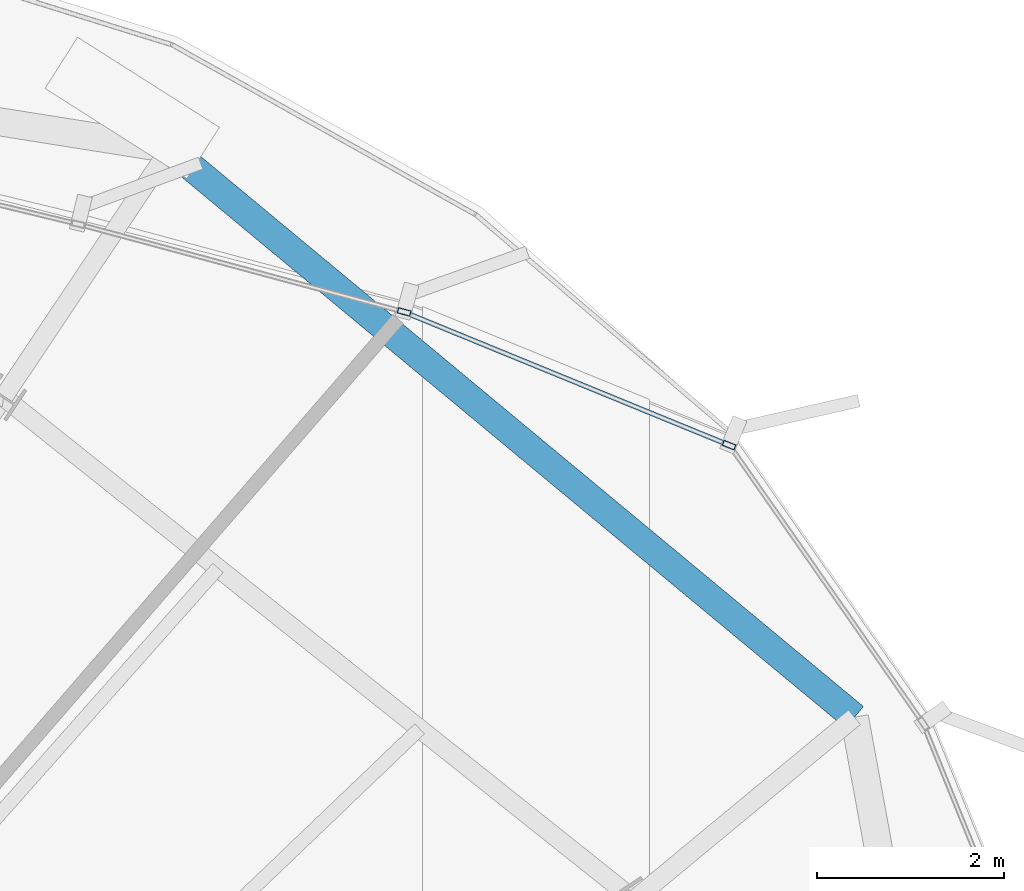
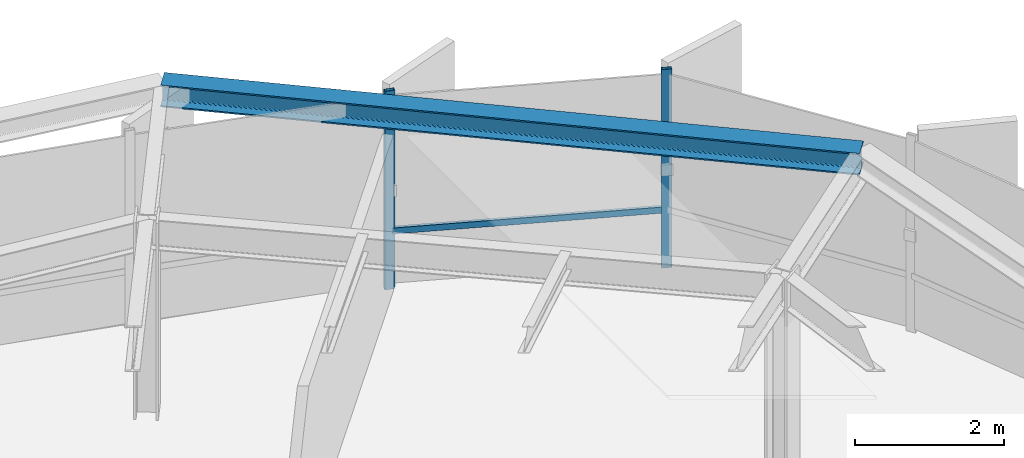
# One storey, part 30 of 37: 3 members, 1 beam, 1 element without a shape of its own.
"""IFC4 building model written with IfcOpenShell, lengths in metres."""

import ifcopenshell
import ifcopenshell.guid

model = None  # the IFC model being written
_history = None  # IfcOwnerHistory: only IFC2X3 demands one
_inside = {}  # id of a spatial element -> (the spatial element, [elements in it])
_under = {}  # id of a project, library or spatial element -> (it, [spatial elements below it])
_declared = {}  # id of a project -> (the project, [libraries it declares])
_typed = {}  # id of a type object -> (the type object, [elements of that type])
_made_of = {}  # id of a material, layer set ... -> (it, [elements and type objects made of it])


def new_model(schema):
    """Start an empty IFC model of exactly this schema.

    Asked for "IFC4X3", IfcOpenShell would pick the latest addendum, in which some entities
    have other attributes; the version numbers below select the first issue.
    IFC2X3 requires an IfcOwnerHistory on every rooted entity: one is made here for all.
    """
    global model, _history
    if schema == "IFC4X3":
        model = ifcopenshell.file(schema_version=(4, 3, 0, 0))
    else:
        model = ifcopenshell.file(schema=schema)
    _inside.clear()
    _under.clear()
    _declared.clear()
    _typed.clear()
    _made_of.clear()
    _history = None
    if model.schema == "IFC2X3":
        org = make("IfcOrganization", Name="unknown")
        user = make(
            "IfcPersonAndOrganization",
            ThePerson=make("IfcPerson", FamilyName="unknown"),
            TheOrganization=org,
        )
        app = make(
            "IfcApplication",
            ApplicationDeveloper=org,
            Version="unknown",
            ApplicationFullName="unknown",
            ApplicationIdentifier="unknown",
        )
        _history = make(
            "IfcOwnerHistory",
            OwningUser=user,
            OwningApplication=app,
            ChangeAction="ADDED",
            CreationDate=0,
        )
    return model


def make(cls, **values):
    """One entity of the class cls with the attributes given. An attribute that is None is left unset."""
    return model.create_entity(
        cls, **{name: value for name, value in values.items() if value is not None}
    )


def rooted(cls, **values):
    """An entity with a GlobalId (a new one), such as an element, a storey or a relation."""
    return make(cls, GlobalId=ifcopenshell.guid.new(), OwnerHistory=_history, **values)


def si_unit(unit_type, name, prefix=None):
    """IfcSIUnit, for example si_unit("LENGTHUNIT", "METRE", prefix="MILLI")."""
    return make("IfcSIUnit", UnitType=unit_type, Prefix=prefix, Name=name)


def assignment(units):
    """IfcUnitAssignment: the units of a project."""
    return None if units is None else make("IfcUnitAssignment", Units=units)


def point(xyz):
    """IfcCartesianPoint."""
    return None if xyz is None else make("IfcCartesianPoint", Coordinates=xyz)


def direction(xyz):
    """IfcDirection."""
    return None if xyz is None else make("IfcDirection", DirectionRatios=xyz)


def frame(location, z_axis=None, x_axis=None):
    """IfcAxis2Placement3D, a coordinate frame: its origin and axes. An axis left out is left unset."""
    return make(
        "IfcAxis2Placement3D",
        Location=point(location),
        Axis=direction(z_axis),
        RefDirection=direction(x_axis),
    )


def frame_2d(location, x_axis=None):
    """IfcAxis2Placement2D, a coordinate frame in the plane: its origin and x axis."""
    return make(
        "IfcAxis2Placement2D", Location=point(location), RefDirection=direction(x_axis)
    )


def origin():
    """The frame at (0, 0, 0) with its axes left unset."""
    return frame((0.0, 0.0, 0.0))


def origin_2d():
    """The frame at (0, 0) in the plane with its x axis left unset."""
    return frame_2d((0.0, 0.0))


def place(relative_to, where):
    """IfcLocalPlacement: puts the frame where relative to a parent placement (None: the world)."""
    return make(
        "IfcLocalPlacement", PlacementRelTo=relative_to, RelativePlacement=where
    )


def context(
    kind, dimensions, precision=None, world=None, true_north=None, identifier=None
):
    """IfcGeometricRepresentationContext, for example the 3D "Model" context."""
    return make(
        "IfcGeometricRepresentationContext",
        ContextIdentifier=identifier,
        ContextType=kind,
        CoordinateSpaceDimension=dimensions,
        Precision=precision,
        WorldCoordinateSystem=world,
        TrueNorth=true_north,
    )


def subcontext(parent, identifier, kind, view, scale=None):
    """IfcGeometricRepresentationSubContext, for example "Body" below "Model"."""
    return make(
        "IfcGeometricRepresentationSubContext",
        ContextIdentifier=identifier,
        ContextType=kind,
        ParentContext=parent,
        TargetScale=scale,
        TargetView=view,
    )


def project(units=None, contexts=None):
    """IfcProject with its units and contexts."""
    return rooted(
        "IfcProject",
        Name="project",
        RepresentationContexts=contexts,
        UnitsInContext=assignment(units),
    )


def spatial(cls, under=None, at=None, **own):
    """A site, building, storey or space (cls), placed at a placement, below another one or the project."""
    s = rooted(cls, ObjectPlacement=at, **own)
    if under is not None:
        _under.setdefault(under.id(), (under, []))[1].append(s)
    return s


def profile(cls, at=None, kind="AREA", **sizes):
    """A parametric profile (cls). Its sizes go by their IFC names, for example OverallWidth=200.0."""
    return make(cls, ProfileType=kind, Position=at, **sizes)


def hollow_rectangle(**sizes):
    """IfcRectangleHollowProfileDef."""
    return profile("IfcRectangleHollowProfileDef", **sizes)


def i_section(**sizes):
    """IfcIShapeProfileDef."""
    return profile("IfcIShapeProfileDef", **sizes)


def extrude(swept, where, along, depth):
    """IfcExtrudedAreaSolid: the profile swept, set in the frame where, extruded along a direction by depth."""
    return make(
        "IfcExtrudedAreaSolid",
        SweptArea=swept,
        Position=where,
        ExtrudedDirection=direction(along),
        Depth=depth,
    )


def shape(context_of_items, identifier, shape_type, items):
    """IfcShapeRepresentation: the items that make up one representation, for example the "Body"."""
    return make(
        "IfcShapeRepresentation",
        ContextOfItems=context_of_items,
        RepresentationIdentifier=identifier,
        RepresentationType=shape_type,
        Items=items,
    )


def source(mapping_origin, context_of_items, identifier, shape_type, items):
    """IfcRepresentationMap: a shape defined once, which mapped items show again and again."""
    return make(
        "IfcRepresentationMap",
        MappingOrigin=mapping_origin,
        MappedRepresentation=shape(context_of_items, identifier, shape_type, items),
    )


def transform(
    local_origin,
    x_axis=None,
    y_axis=None,
    z_axis=None,
    scale=None,
    scale2=None,
    scale3=None,
    uniform=True,
):
    """IfcCartesianTransformationOperator3D, or its non-uniform kind. x_axis, y_axis, z_axis: its Axis1, 2, 3."""
    if uniform:
        return make(
            "IfcCartesianTransformationOperator3D",
            Axis1=direction(x_axis),
            Axis2=direction(y_axis),
            LocalOrigin=point(local_origin),
            Scale=scale,
            Axis3=direction(z_axis),
        )
    return make(
        "IfcCartesianTransformationOperator3DnonUniform",
        Axis1=direction(x_axis),
        Axis2=direction(y_axis),
        LocalOrigin=point(local_origin),
        Scale=scale,
        Axis3=direction(z_axis),
        Scale2=scale2,
        Scale3=scale3,
    )


def mapped(mapping_source, mapping_target):
    """IfcMappedItem: shows the shape of a source again, moved by a transform."""
    return make(
        "IfcMappedItem", MappingSource=mapping_source, MappingTarget=mapping_target
    )


def material(Name=None, Category=None):
    """IfcMaterial."""
    return make("IfcMaterial", Name=Name, Category=Category)


def layer(
    of_material, thickness, ventilated=None, Name=None, Category=None, Priority=None
):
    """IfcMaterialLayer: one layer of a wall or slab, of a material (None: an air gap)."""
    return make(
        "IfcMaterialLayer",
        Material=of_material,
        LayerThickness=thickness,
        IsVentilated=ventilated,
        Name=Name,
        Category=Category,
        Priority=Priority,
    )


def layer_set(layers, Name=None):
    """IfcMaterialLayerSet."""
    return make("IfcMaterialLayerSet", MaterialLayers=layers, LayerSetName=Name)


def material_profile(
    of_material, cross_section, Name=None, Category=None, Priority=None
):
    """IfcMaterialProfile: a cross section and its material."""
    return make(
        "IfcMaterialProfile",
        Name=Name,
        Material=of_material,
        Profile=cross_section,
        Priority=Priority,
        Category=Category,
    )


def profile_set(profiles, Name=None, composite=None):
    """IfcMaterialProfileSet."""
    return make(
        "IfcMaterialProfileSet",
        Name=Name,
        MaterialProfiles=profiles,
        CompositeProfile=composite,
    )


def made_of(thing, what):
    """Note that an element or type object is made of a material, layer set ...; save() writes the relation."""
    if what is not None:
        _made_of.setdefault(what.id(), (what, []))[1].append(thing)
    return thing


def type_object(cls, material=None, **own):
    """A type object (cls), such as IfcWallType, which elements share."""
    return made_of(rooted(cls, **own), material)


def element(
    cls,
    number,
    at=None,
    inside=None,
    cuts=None,
    type_object=None,
    material=None,
    context=None,
    identifier="Body",
    shape_type=None,
    held_by="IfcProductDefinitionShape",
    body=None,
    shapes=None,
    **own,
):
    """One element of the class cls, such as IfcWall. Its Tag is "e" and its number.

    at: its placement. inside: the storey or other place that contains it. cuts: it is an
    opening in that element (IfcRelVoidsElement). A single representation is given by context,
    identifier, shape_type and body (its items); several are given by shapes. held_by: the class
    of the entity that holds the representations. save() writes the other relations.
    """
    e = rooted(cls, Tag="e%d" % number, ObjectPlacement=at, **own)
    if body is not None:
        shapes = [shape(context, identifier, shape_type, body)]
    if shapes is not None:
        e.Representation = make(held_by, Representations=shapes)
    if inside is not None:
        _inside.setdefault(inside.id(), (inside, []))[1].append(e)
    if cuts is not None:
        rooted(
            "IfcRelVoidsElement", RelatingBuildingElement=cuts, RelatedOpeningElement=e
        )
    if type_object is not None:
        _typed.setdefault(type_object.id(), (type_object, []))[1].append(e)
    return made_of(e, material)


def aggregate(whole, parts):
    """IfcRelAggregates: a whole, such as a stair, and the parts it consists of."""
    return rooted("IfcRelAggregates", RelatingObject=whole, RelatedObjects=parts)


def save(model, path):
    """Write the relations noted so far, then the file.

    IfcRelAggregates (storeys below a building ...), IfcRelContainedInSpatialStructure (elements
    in a storey), IfcRelDefinesByType, IfcRelAssociatesMaterial and IfcRelDeclares: one each for
    every whole, place, type object, material and project.
    """
    for whole, parts in _under.values():
        aggregate(whole, parts)
    for where, things in _inside.values():
        rooted(
            "IfcRelContainedInSpatialStructure",
            RelatedElements=things,
            RelatingStructure=where,
        )
    for kind, things in _typed.values():
        rooted("IfcRelDefinesByType", RelatedObjects=things, RelatingType=kind)
    for what, things in _made_of.values():
        rooted("IfcRelAssociatesMaterial", RelatedObjects=things, RelatingMaterial=what)
    for by, libraries in _declared.values():
        rooted("IfcRelDeclares", RelatingContext=by, RelatedDefinitions=libraries)
    model.write(path)


model = new_model("IFC4")

# Units and contexts
model_context = context("Model", 3, precision=1e-05, world=origin(), true_north=direction((0.0, 1.0)))
body_context = subcontext(model_context, "Body", "Model", "MODEL_VIEW")
ifc_project = project(units=[si_unit("LENGTHUNIT", "METRE"), si_unit("AREAUNIT", "SQUARE_METRE"), si_unit("VOLUMEUNIT", "CUBIC_METRE"), si_unit("PLANEANGLEUNIT", "RADIAN"), si_unit("MASSUNIT", "GRAM", prefix="KILO"), si_unit("THERMODYNAMICTEMPERATUREUNIT", "KELVIN")], contexts=[model_context])

# Site, building, storey
site_placement = place(None, origin())
site = spatial("IfcSite", under=ifc_project, at=site_placement, CompositionType="ELEMENT")
building_placement = place(site_placement, origin())
building = spatial("IfcBuilding", under=site, at=building_placement, Name="Kethvar Cultural Tower", CompositionType="ELEMENT")
storey_placement = place(building_placement, frame((0.0, 0.0, 200.89990234375)))
storey = spatial("IfcBuildingStorey", under=building, at=storey_placement, Name="L52", CompositionType="ELEMENT", Elevation=200.89990234375)

# Beam
ifc_material_1 = material(Name="Steel S355J2", Category="steel")
ifc_material_profile_1 = material_profile(ifc_material_1, i_section(OverallWidth=0.300048828125, OverallDepth=0.360107421875, WebThickness=0.012451171875, FlangeThickness=0.0224609375, FilletRadius=0.027099609375, at=origin_2d()), Name="Steel S355J2 — HEB360")
ifc_profile_set_1 = profile_set([ifc_material_profile_1], Name="Steel S355J2 — HEB360")
beam_type = type_object("IfcBeamType", Name="BM-SP360", PredefinedType="SPANDREL", material=ifc_profile_set_1)
shared_shape_1 = source(origin(), body_context, "Body", "SweptSolid", [
    extrude(i_section(OverallWidth=0.300048828125, OverallDepth=0.360107421875, WebThickness=0.012451171875, FlangeThickness=0.0224609375, FilletRadius=0.027099609375, at=origin_2d()), origin(), (0.0, 0.0, 1.0), 9.536865234375),
])
beam_placement = place(storey_placement, frame((67.864501953125, 42.25146484375, 3.078125), z_axis=(-0.769493436011, 0.638654720437, 0.0), x_axis=(-0.638654720437, -0.769493436011, 0.0)))
element("IfcBeam", 1, at=beam_placement, inside=storey, type_object=beam_type, Name="L52 Perimeter Spandrel Beam SP-02", PredefinedType="SPANDREL", context=body_context, shape_type="MappedRepresentation", body=[
    mapped(shared_shape_1, transform((0.0, 0.0, 0.0), scale=1.0)),
])

# Curtain wall, members
ifc_material_2 = material(Name="Aluminium 6063-T6", Category="aluminium")
ifc_layer = layer(ifc_material_2, 0.179931640625, Name="Aluminium 6063-T6", Category="aluminium")
ifc_layer_set = layer_set([ifc_layer], Name="Aluminium 6063-T6 (180 mm)")
curtain_wall_type = type_object("IfcCurtainWallType", Name="CW-SYS-04-Z34", PredefinedType="NOTDEFINED", material=ifc_layer_set)
curtain_wall_placement = place(storey_placement, origin())
curtain_wall = element("IfcCurtainWall", 2, at=curtain_wall_placement, inside=storey, type_object=curtain_wall_type, Name="L52 Curtain Wall Run 01", PredefinedType="NOTDEFINED")
ifc_material_profile_2 = material_profile(ifc_material_2, hollow_rectangle(XDim=0.06005859375, YDim=0.139892578125, WallThickness=0.0048828125, at=origin_2d()), Name="Aluminium 6063-T6 — RHS140x60x5")
ifc_profile_set_2 = profile_set([ifc_material_profile_2], Name="Aluminium 6063-T6 — RHS140x60x5")
member_type_1 = type_object("IfcMemberType", Name="CW-SYS-04-Z34-MUL", PredefinedType="MULLION", material=ifc_profile_set_2)
shared_shape_2 = source(origin(), body_context, "Body", "SweptSolid", [
    extrude(hollow_rectangle(XDim=0.06005859375, YDim=0.139892578125, WallThickness=0.0048828125, at=origin_2d()), origin(), (0.0, 0.0, 1.0), 3.260009765625),
])
member_1_placement = place(storey_placement, frame((66.5205078125, 45.16748046875, 0.0), z_axis=(0.0, 0.0, 1.0), x_axis=(-0.379020122605, -0.925388430153, 0.0)))
member_1 = element("IfcMember", 3, at=member_1_placement, type_object=member_type_1, Name="CW-L52-R01 Mullion 1", PredefinedType="MULLION", context=body_context, shape_type="MappedRepresentation", body=[
    mapped(shared_shape_2, transform((0.0, 0.0, 0.0), scale=1.0)),
])
member_2_placement = place(storey_placement, frame((63.039794921875, 46.59423828125, 0.0), z_axis=(0.0, 0.0, 1.0), x_axis=(-0.260234887669, -0.965545339816, 0.0)))
member_2 = element("IfcMember", 4, at=member_2_placement, type_object=member_type_1, Name="CW-L52-R01 Mullion 2", PredefinedType="MULLION", context=body_context, shape_type="MappedRepresentation", body=[
    mapped(shared_shape_2, transform((0.0, 0.0, 0.0), scale=1.0)),
])
ifc_material_profile_3 = material_profile(ifc_material_2, hollow_rectangle(XDim=0.050048828125, YDim=0.10009765625, WallThickness=0.00390625, at=origin_2d()), Name="Aluminium 6063-T6 — RHS100x50x4")
ifc_profile_set_3 = profile_set([ifc_material_profile_3], Name="Aluminium 6063-T6 — RHS100x50x4")
member_type_2 = type_object("IfcMemberType", Name="CW-SYS-04-Z34-TRN", PredefinedType="USERDEFINED", material=ifc_profile_set_3)
shared_shape_3 = source(origin(), body_context, "Body", "SweptSolid", [
    extrude(hollow_rectangle(XDim=0.050048828125, YDim=0.10009765625, WallThickness=0.00390625, at=origin_2d()), origin(), (0.0, 0.0, 1.0), 3.72802734375),
])
member_3_placement = place(storey_placement, frame((66.5166015625, 45.169189453125, 0.9501953125), z_axis=(-0.925383096597, 0.379033144371, 0.0), x_axis=(-0.379033144371, -0.925383096597, 0.0)))
member_3 = element("IfcMember", 5, at=member_3_placement, type_object=member_type_2, Name="CW-L52-R01 Transom 1", ObjectType="TRANSOM", PredefinedType="USERDEFINED", context=body_context, shape_type="MappedRepresentation", body=[
    mapped(shared_shape_3, transform((0.0, 0.0, 0.0), scale=1.0)),
])
aggregate(curtain_wall, [member_1, member_2, member_3])

save(model, "model.ifc")
